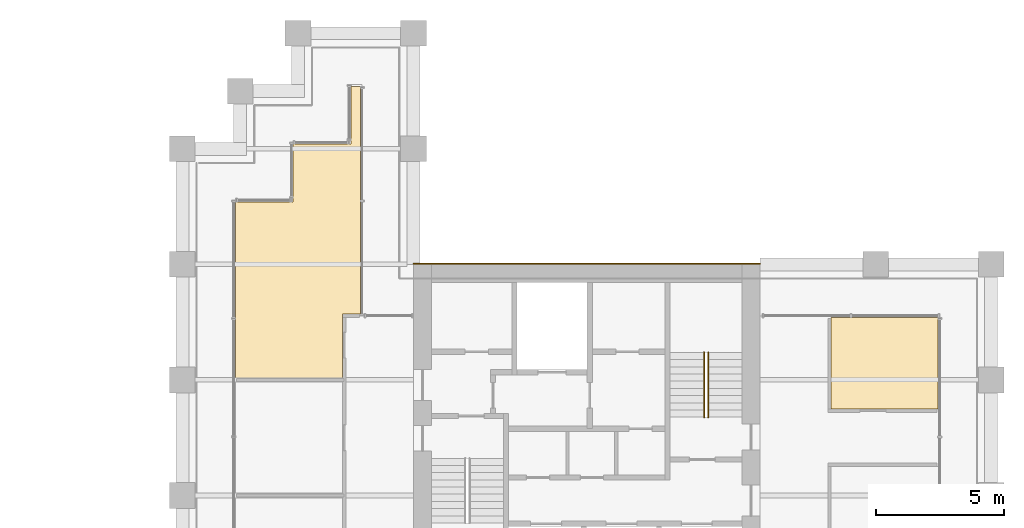
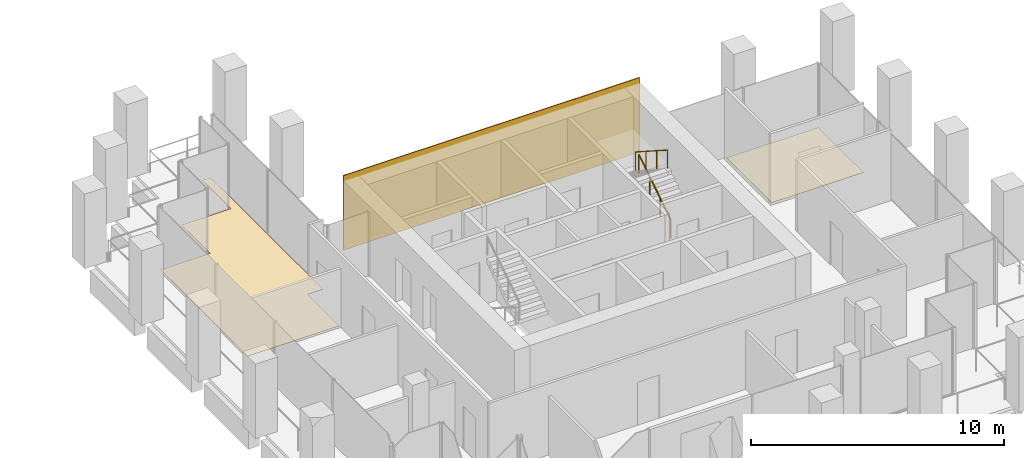
# One storey, part 47 of 47: 3 coverings, 2 railings.
"""IFC4 building model written with IfcOpenShell, lengths in metres."""

from ifc_helpers import new_model, si_unit, direction, frame, origin, origin_2d, place, context, subcontext, project, spatial, polyline, rectangle, circle, outline, extrude, source, transform, mapped, material, layer, layer_set, type_object, element, save


model = new_model("IFC4")

# Units and contexts
model_context = context("Model", 3, precision=1e-05, world=origin(), true_north=direction((0.0, 1.0)))
body_context = subcontext(model_context, "Body", "Model", "MODEL_VIEW")
ifc_project = project(units=[si_unit("LENGTHUNIT", "METRE"), si_unit("AREAUNIT", "SQUARE_METRE"), si_unit("VOLUMEUNIT", "CUBIC_METRE"), si_unit("PLANEANGLEUNIT", "RADIAN"), si_unit("MASSUNIT", "GRAM", prefix="KILO")], contexts=[model_context])

# Site, building, storey
site_placement = place(None, origin())
site = spatial("IfcSite", under=ifc_project, at=site_placement, CompositionType="ELEMENT")
building_placement = place(site_placement, origin())
building = spatial("IfcBuilding", under=site, at=building_placement, Name="Altepetl Exchange Towers", CompositionType="ELEMENT")
storey_placement = place(building_placement, frame((0.0, 0.0, 99.199951171875)))
storey = spatial("IfcBuildingStorey", under=building, at=storey_placement, Name="L24", CompositionType="ELEMENT", Elevation=99.199951171875)

# Coverings
ifc_material_1 = material(Name="Carpet tile")
ifc_layer_1 = layer(ifc_material_1, 0.02001953125)
ifc_layer_set_1 = layer_set([ifc_layer_1], Name="Carpet tile")
covering_type_1 = type_object("IfcCoveringType", Name="Carpet tile floor", PredefinedType="FLOORING", material=ifc_layer_set_1)
covering_1_placement = place(storey_placement, origin())
element("IfcCovering", 1, at=covering_1_placement, inside=storey, type_object=covering_type_1, Name="Pantry floor finish B24.08", PredefinedType="FLOORING", context=body_context, shape_type="SweptSolid", body=[
    extrude(outline(polyline([(119.762451171875, 47.4375), (119.762451171875, 43.862548828125), (123.9375, 43.862548828125), (123.9375, 47.4375), (119.762451171875, 47.4375)])), origin(), (0.0, 0.0, 1.0), 0.02001953125),
])
covering_2_placement = place(storey_placement, origin())
element("IfcCovering", 2, at=covering_2_placement, inside=storey, type_object=covering_type_1, Name="Research office floor finish B24.09", PredefinedType="FLOORING", context=body_context, shape_type="SweptSolid", body=[
    extrude(outline(polyline([(101.4375, 47.5625), (101.4375, 56.4375), (101.0625, 56.4375), (101.0625, 54.1875), (98.8125, 54.1875), (98.8125, 51.9375), (96.5625, 51.9375), (96.5625, 45.0625), (100.737548828125, 45.0625), (100.737548828125, 47.5625), (101.4375, 47.5625)])), origin(), (0.0, 0.0, 1.0), 0.02001953125),
])
ifc_material_2 = material(Name="Cantera limestone cladding", Category="masonry")
ifc_layer_2 = layer(ifc_material_2, 0.0400390625)
ifc_layer_set_2 = layer_set([ifc_layer_2], Name="Cantera limestone cladding")
covering_type_2 = type_object("IfcCoveringType", Name="Stone panel 40 cantera", PredefinedType="CLADDING", material=ifc_layer_set_2)
covering_3_placement = place(storey_placement, frame((110.25, 49.52001953125, 0.0), z_axis=(0.0, 0.0, 1.0), x_axis=(-1.0, 0.0, 0.0)))
element("IfcCovering", 3, at=covering_3_placement, inside=storey, type_object=covering_type_2, Name="Stone cladding panel", PredefinedType="CLADDING", context=body_context, shape_type="SweptSolid", body=[
    extrude(rectangle(XDim=13.5, YDim=0.0400390625, at=origin_2d()), origin(), (0.0, 0.0, 1.0), 3.60009765625),
])

# Railings
ifc_material_3 = material(Name="Steel", Category="steel")
railing_type = type_object("IfcRailingType", Name="Stair handrail 50 steel tube", PredefinedType="HANDRAIL", material=ifc_material_3)
shared_shape = source(origin(), body_context, "Body", "SweptSolid", [
    extrude(circle(Radius=0.02099609375, at=origin_2d()), origin(), (0.0, 0.0, 1.0), 0.851806640625),
])
railing_1_placement = place(storey_placement, frame((114.97998046875, 43.550048828125, 0.179931640625)))
element("IfcRailing", 4, at=railing_1_placement, inside=storey, type_object=railing_type, Name="Stair handrail", PredefinedType="HANDRAIL", context=body_context, shape_type="SweptSolid", body=[
    extrude(circle(Radius=0.02392578125, at=origin_2d()), frame((0.0, 0.0, 0.8759765625), z_axis=(0.0, 0.841162588446, 0.540782303519), x_axis=(-1.0, 0.0, 0.0)), (0.0, 0.0, 1.0), 2.995849609375),
    mapped(shared_shape, transform((0.0, 0.0, 0.0))),
    mapped(shared_shape, transform((0.0, 0.840087890625, 0.5400390625))),
    mapped(shared_shape, transform((0.0, 1.679931640625, 1.080078125))),
    mapped(shared_shape, transform((0.0, 2.52001953125, 1.6201171875))),
])
railing_2_placement = place(storey_placement, frame((114.820068359375, 46.070068359375, 1.97998046875)))
element("IfcRailing", 5, at=railing_2_placement, inside=storey, type_object=railing_type, Name="Stair handrail", PredefinedType="HANDRAIL", context=body_context, shape_type="SweptSolid", body=[
    extrude(circle(Radius=0.02392578125, at=origin_2d()), frame((0.0, 0.0, 0.8759765625), z_axis=(0.0, -0.841162588446, 0.540782303519), x_axis=(1.0, 0.0, 0.0)), (0.0, 0.0, 1.0), 2.995849609375),
    mapped(shared_shape, transform((0.0, 0.0, 0.0))),
    mapped(shared_shape, transform((0.0, -0.840087890625, 0.5400390625))),
    mapped(shared_shape, transform((0.0, -1.679931640625, 1.080078125))),
    mapped(shared_shape, transform((0.0, -2.52001953125, 1.6201171875))),
])

save(model, "model.ifc")
